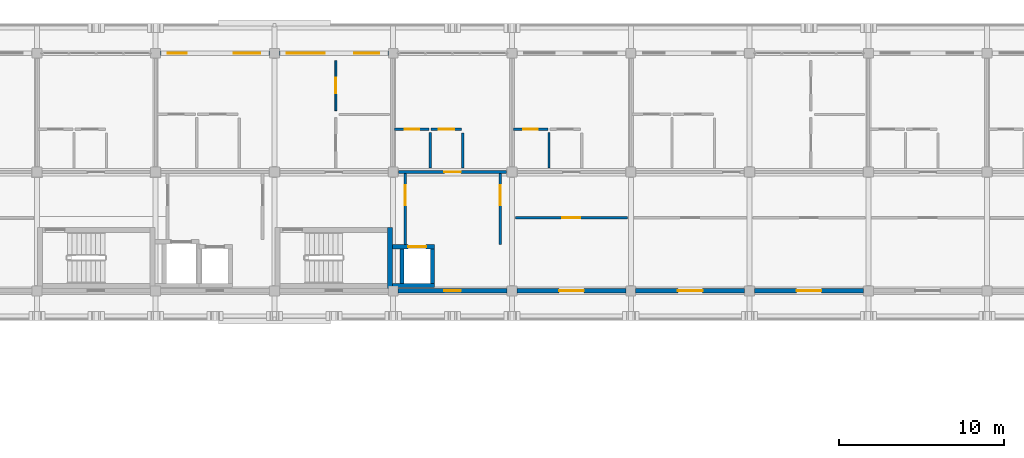
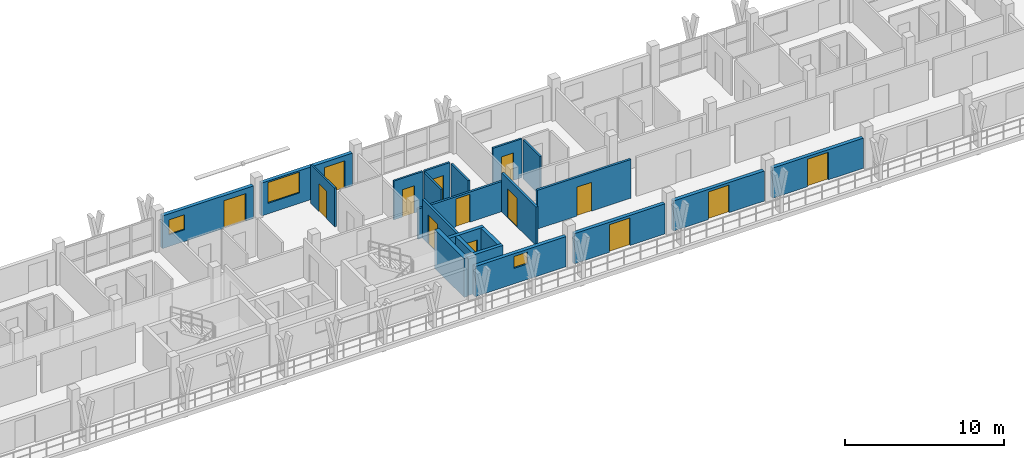
# One storey, part 41 of 73: 22 walls, 14 doors, 3 windows, 17 openings.
"""IFC4 building model written with IfcOpenShell, lengths in metres."""

from ifc_helpers import new_model, si_unit, direction, frame, frame_2d, origin, place, context, subcontext, project, spatial, rectangle, extrude, material, layer, layer_set, type_object, element, fill, save


model = new_model("IFC4")

# Units and contexts
model_context = context("Model", 3, precision=1e-05, world=origin(), true_north=direction((0.0, 1.0)))
body_context = subcontext(model_context, "Body", "Model", "MODEL_VIEW")
ifc_project = project(units=[si_unit("LENGTHUNIT", "METRE"), si_unit("AREAUNIT", "SQUARE_METRE"), si_unit("VOLUMEUNIT", "CUBIC_METRE"), si_unit("PLANEANGLEUNIT", "RADIAN"), si_unit("MASSUNIT", "GRAM", prefix="KILO")], contexts=[model_context])

# Site, building, storey
site_placement = place(None, origin())
site = spatial("IfcSite", under=ifc_project, at=site_placement, CompositionType="ELEMENT")
building_placement = place(site_placement, origin())
building = spatial("IfcBuilding", under=site, at=building_placement, Name="Suanplinth Sawtooth Commons", CompositionType="ELEMENT")
storey_placement = place(building_placement, frame((0.0, 0.0, 21.89990234375)))
storey = spatial("IfcBuildingStorey", under=building, at=storey_placement, Name="L06", CompositionType="ELEMENT", Elevation=21.89990234375)

# Wall
ifc_material_1 = material(Name="Concrete C40/50", Category="concrete")
ifc_layer_1 = layer(ifc_material_1, 0.300048828125, Name="Standard RC stair and lift core wall 300mm")
ifc_layer_set_1 = layer_set([ifc_layer_1], Name="Concrete C40/50")
wall_type_1 = type_object("IfcWallType", Name="W-CR02", PredefinedType="SHEAR", material=ifc_layer_set_1)
wall_1_placement = place(storey_placement, frame((64.60009765625, 108.14990234375, 0.0), z_axis=(0.0, 0.0, 1.0), x_axis=(0.0, 1.0, 0.0)))
element("IfcWall", 1, at=wall_1_placement, inside=storey, type_object=wall_type_1, Name="W-L06-C-A2-STE", PredefinedType="SHEAR", context=body_context, shape_type="SweptSolid", body=[
    extrude(rectangle(XDim=3.7001953125, YDim=0.300048828125, at=frame_2d((1.85009765625, 0.0))), origin(), (0.0, 0.0, 1.0), 2.97998046875),
])

# Wall, openings, door, window
ifc_material_2 = material(Name="Precast concrete C40/50", Category="concrete")
ifc_layer_2 = layer(ifc_material_2, 0.260009765625, Name="Insulated precast courtyard facade wall 260mm")
ifc_layer_set_2 = layer_set([ifc_layer_2], Name="Precast concrete C40/50")
wall_type_2 = type_object("IfcWallType", Name="W-EX02", PredefinedType="ELEMENTEDWALL", material=ifc_layer_set_2)
wall_2_placement = place(storey_placement, frame((50.699951171875, 122.39990234375, 0.0), z_axis=(0.0, 0.0, 1.0), x_axis=(1.0, 0.0, 0.0)))
wall_2 = element("IfcWall", 2, at=wall_2_placement, inside=storey, type_object=wall_type_2, Name="Facade Wall W-L06-A-N-6", PredefinedType="ELEMENTEDWALL", context=body_context, shape_type="SweptSolid", body=[
    extrude(rectangle(XDim=6.60009765625, YDim=0.260009765625, at=frame_2d((3.300048828125, 0.0))), origin(), (0.0, 0.0, 1.0), 2.51513671875),
])
opening_1_placement = place(wall_2_placement, frame((4.449951171875, 0.0, 0.0)))
opening_1 = element("IfcOpeningElement", 3, at=opening_1_placement, cuts=wall_2, Name="Opening ED0486", PredefinedType="OPENING", context=body_context, shape_type="SweptSolid", body=[
    extrude(rectangle(XDim=1.60009765625, YDim=2.1201171875, at=frame_2d((0.800048828125, 1.06005859375))), frame((0.0, 0.14501953125, 0.0), z_axis=(0.0, -1.0, 0.0), x_axis=(1.0, 0.0, 0.0)), (0.0, 0.0, 1.0), 0.289794921875),
])
opening_2_placement = place(wall_2_placement, frame((0.449951171875, 0.0, 0.89990234375)))
opening_2 = element("IfcOpeningElement", 4, at=opening_2_placement, cuts=wall_2, Name="Opening W0572", PredefinedType="OPENING", context=body_context, shape_type="SweptSolid", body=[
    extrude(rectangle(XDim=1.14990234375, YDim=1.14990234375, at=frame_2d((0.574951171875, 0.574951171875))), frame((0.0, 0.14501953125, 0.0), z_axis=(0.0, -1.0, 0.0), x_axis=(1.0, 0.0, 0.0)), (0.0, 0.0, 1.0), 0.289794921875),
])
ifc_material_3 = material(Name="Anodized aluminium and low-E glass", Category="aluminium")
door_type_1 = type_object("IfcDoorType", Name="SD-02", OperationType="SLIDING_TO_RIGHT", PredefinedType="DOOR", material=ifc_material_3)
door_1_placement = place(opening_1_placement, frame((1.60009765625, 0.0, 0.0), z_axis=(0.0, 0.0, 1.0), x_axis=(-1.0, 0.0, 0.0)))
door_1 = element("IfcDoor", 5, at=door_1_placement, inside=storey, type_object=door_type_1, Name="Balcony Sliding Door L06-A-N-6", OperationType="SLIDING_TO_RIGHT", OverallHeight=2.1201171875, OverallWidth=1.60009765625, PredefinedType="DOOR", context=body_context, shape_type="SweptSolid", body=[
    extrude(rectangle(XDim=1.60009765625, YDim=2.1201171875, at=frame_2d((0.800048828125, 1.06005859375))), frame((0.0, 0.02490234375, 0.0), z_axis=(0.0, -1.0, 0.0), x_axis=(1.0, 0.0, 0.0)), (0.0, 0.0, 1.0), 0.050048828125),
])
fill(opening_1, door_1)
ifc_material_4 = material(Name="Thermally broken aluminium and low-E double glazing", Category="aluminium")
window_type_1 = type_object("IfcWindowType", Name="WN-20", PartitioningType="SINGLE_PANEL", PredefinedType="WINDOW", material=ifc_material_4)
window_1_placement = place(opening_2_placement, origin())
window_1 = element("IfcWindow", 6, at=window_1_placement, inside=storey, type_object=window_type_1, Name="Window L06-A-N-6", OverallHeight=1.14990234375, OverallWidth=1.14990234375, PartitioningType="SINGLE_PANEL", PredefinedType="WINDOW", context=body_context, shape_type="SweptSolid", body=[
    extrude(rectangle(XDim=1.14990234375, YDim=1.14990234375, at=frame_2d((0.574951171875, 0.574951171875))), frame((0.0, 0.030029296875, 0.0), z_axis=(0.0, -1.0, 0.0), x_axis=(1.0, 0.0, 0.0)), (0.0, 0.0, 1.0), 0.06005859375),
])
fill(opening_2, window_1)

wall_3_placement = place(storey_placement, frame((57.89990234375, 122.39990234375, 0.0), z_axis=(0.0, 0.0, 1.0), x_axis=(1.0, 0.0, 0.0)))
wall_3 = element("IfcWall", 7, at=wall_3_placement, inside=storey, type_object=wall_type_2, Name="Facade Wall W-L06-A-N-7", PredefinedType="ELEMENTEDWALL", context=body_context, shape_type="SweptSolid", body=[
    extrude(rectangle(XDim=6.60009765625, YDim=0.260009765625, at=frame_2d((3.300048828125, 0.0))), origin(), (0.0, 0.0, 1.0), 2.51513671875),
])
opening_3_placement = place(wall_3_placement, frame((4.550048828125, 0.0, 0.0)))
opening_3 = element("IfcOpeningElement", 8, at=opening_3_placement, cuts=wall_3, Name="Opening ED0487", PredefinedType="OPENING", context=body_context, shape_type="SweptSolid", body=[
    extrude(rectangle(XDim=1.5, YDim=2.1201171875, at=frame_2d((0.75, 1.06005859375))), frame((0.0, 0.14501953125, 0.0), z_axis=(0.0, -1.0, 0.0), x_axis=(1.0, 0.0, 0.0)), (0.0, 0.0, 1.0), 0.289794921875),
])
opening_4_placement = place(wall_3_placement, frame((0.449951171875, 0.0, 0.804931640625)))
opening_4 = element("IfcOpeningElement", 9, at=opening_4_placement, cuts=wall_3, Name="Opening W0574", PredefinedType="OPENING", context=body_context, shape_type="SweptSolid", body=[
    extrude(rectangle(XDim=2.300048828125, YDim=1.60009765625, at=frame_2d((1.14990234375, 0.800048828125))), frame((0.0, 0.14501953125, 0.0), z_axis=(0.0, -1.0, 0.0), x_axis=(1.0, 0.0, 0.0)), (0.0, 0.0, 1.0), 0.289794921875),
])
door_type_2 = type_object("IfcDoorType", Name="SD-03", OperationType="SLIDING_TO_LEFT", PredefinedType="DOOR", material=ifc_material_3)
door_2_placement = place(opening_3_placement, frame((1.5, 0.0, 0.0), z_axis=(0.0, 0.0, 1.0), x_axis=(-1.0, 0.0, 0.0)))
door_2 = element("IfcDoor", 10, at=door_2_placement, inside=storey, type_object=door_type_2, Name="Balcony Sliding Door L06-A-N-7", OperationType="SLIDING_TO_LEFT", OverallHeight=2.1201171875, OverallWidth=1.5, PredefinedType="DOOR", context=body_context, shape_type="SweptSolid", body=[
    extrude(rectangle(XDim=1.5, YDim=2.1201171875, at=frame_2d((0.75, 1.06005859375))), frame((0.0, 0.02490234375, 0.0), z_axis=(0.0, -1.0, 0.0), x_axis=(1.0, 0.0, 0.0)), (0.0, 0.0, 1.0), 0.050048828125),
])
fill(opening_3, door_2)
window_type_2 = type_object("IfcWindowType", Name="WN-21", PartitioningType="TRIPLE_PANEL_VERTICAL", PredefinedType="WINDOW", material=ifc_material_4)
window_2_placement = place(opening_4_placement, origin())
window_2 = element("IfcWindow", 11, at=window_2_placement, inside=storey, type_object=window_type_2, Name="Window L06-A-N-7", OverallHeight=1.60009765625, OverallWidth=2.300048828125, PartitioningType="TRIPLE_PANEL_VERTICAL", PredefinedType="WINDOW", context=body_context, shape_type="SweptSolid", body=[
    extrude(rectangle(XDim=2.300048828125, YDim=1.60009765625, at=frame_2d((1.14990234375, 0.800048828125))), frame((0.0, 0.030029296875, 0.0), z_axis=(0.0, -1.0, 0.0), x_axis=(1.0, 0.0, 0.0)), (0.0, 0.0, 1.0), 0.06005859375),
])
fill(opening_4, window_2)

# Wall, opening, window
wall_4_placement = place(storey_placement, frame((65.10009765625, 108.0, 0.0), z_axis=(0.0, 0.0, 1.0), x_axis=(1.0, 0.0, 0.0)))
wall_4 = element("IfcWall", 12, at=wall_4_placement, inside=storey, type_object=wall_type_2, Name="Courtyard Wall W-L06-A-S-8", PredefinedType="ELEMENTEDWALL", context=body_context, shape_type="SweptSolid", body=[
    extrude(rectangle(XDim=6.599853515625, YDim=0.260009765625, at=frame_2d((3.2998046875, 0.0))), origin(), (0.0, 0.0, 1.0), 2.315185546875),
])
opening_5_placement = place(wall_4_placement, frame((2.800048828125, 0.0, 1.199951171875)))
opening_5 = element("IfcOpeningElement", 13, at=opening_5_placement, cuts=wall_4, Name="Opening W0576", PredefinedType="OPENING", context=body_context, shape_type="SweptSolid", body=[
    extrude(rectangle(XDim=1.0, YDim=0.89990234375, at=frame_2d((0.5, 0.449951171875))), frame((0.0, 0.14501953125, 0.0), z_axis=(0.0, -1.0, 0.0), x_axis=(1.0, 0.0, 0.0)), (0.0, 0.0, 1.0), 0.289794921875),
])
window_type_3 = type_object("IfcWindowType", Name="WN-12", PartitioningType="SINGLE_PANEL", PredefinedType="WINDOW", material=ifc_material_4)
window_3_placement = place(opening_5_placement, origin())
window_3 = element("IfcWindow", 14, at=window_3_placement, inside=storey, type_object=window_type_3, Name="Core Daylight Window L06-A-8", OverallHeight=0.89990234375, OverallWidth=1.0, PartitioningType="SINGLE_PANEL", PredefinedType="WINDOW", context=body_context, shape_type="SweptSolid", body=[
    extrude(rectangle(XDim=1.0, YDim=0.89990234375, at=frame_2d((0.5, 0.449951171875))), frame((0.0, 0.030029296875, 0.0), z_axis=(0.0, -1.0, 0.0), x_axis=(1.0, 0.0, 0.0)), (0.0, 0.0, 1.0), 0.06005859375),
])
fill(opening_5, window_3)

# Wall, opening, door
wall_5_placement = place(storey_placement, frame((72.300048828125, 108.0, 0.0), z_axis=(0.0, 0.0, 1.0), x_axis=(1.0, 0.0, 0.0)))
wall_5 = element("IfcWall", 15, at=wall_5_placement, inside=storey, type_object=wall_type_2, Name="Courtyard Wall W-L06-A-S-9", PredefinedType="ELEMENTEDWALL", context=body_context, shape_type="SweptSolid", body=[
    extrude(rectangle(XDim=6.599853515625, YDim=0.260009765625, at=frame_2d((3.2998046875, 0.0))), origin(), (0.0, 0.0, 1.0), 2.315185546875),
])
opening_6_placement = place(wall_5_placement, frame((2.550048828125, 0.0, 0.0)))
opening_6 = element("IfcOpeningElement", 16, at=opening_6_placement, cuts=wall_5, Name="Opening ED0489", PredefinedType="OPENING", context=body_context, shape_type="SweptSolid", body=[
    extrude(rectangle(XDim=1.5, YDim=2.1201171875, at=frame_2d((0.75, 1.06005859375))), frame((0.0, 0.14501953125, 0.0), z_axis=(0.0, -1.0, 0.0), x_axis=(1.0, 0.0, 0.0)), (0.0, 0.0, 1.0), 0.289794921875),
])
door_3_placement = place(opening_6_placement, frame((1.5, 0.0, 0.0), z_axis=(0.0, 0.0, 1.0), x_axis=(-1.0, 0.0, 0.0)))
door_3 = element("IfcDoor", 17, at=door_3_placement, inside=storey, type_object=door_type_2, Name="Courtyard Balcony Sliding Door L06-A-S-9", OperationType="SLIDING_TO_LEFT", OverallHeight=2.1201171875, OverallWidth=1.5, PredefinedType="DOOR", context=body_context, shape_type="SweptSolid", body=[
    extrude(rectangle(XDim=1.5, YDim=2.1201171875, at=frame_2d((0.75, 1.06005859375))), frame((0.0, 0.02490234375, 0.0), z_axis=(0.0, -1.0, 0.0), x_axis=(1.0, 0.0, 0.0)), (0.0, 0.0, 1.0), 0.050048828125),
])
fill(opening_6, door_3)

wall_6_placement = place(storey_placement, frame((79.5, 108.0, 0.0), z_axis=(0.0, 0.0, 1.0), x_axis=(1.0, 0.0, 0.0)))
wall_6 = element("IfcWall", 18, at=wall_6_placement, inside=storey, type_object=wall_type_2, Name="Courtyard Wall W-L06-A-S-10", PredefinedType="ELEMENTEDWALL", context=body_context, shape_type="SweptSolid", body=[
    extrude(rectangle(XDim=6.60009765625, YDim=0.260009765625, at=frame_2d((3.300048828125, 0.0))), origin(), (0.0, 0.0, 1.0), 2.315185546875),
])
opening_7_placement = place(wall_6_placement, frame((2.550048828125, 0.0, 0.0)))
opening_7 = element("IfcOpeningElement", 19, at=opening_7_placement, cuts=wall_6, Name="Opening ED0491", PredefinedType="OPENING", context=body_context, shape_type="SweptSolid", body=[
    extrude(rectangle(XDim=1.5, YDim=2.1201171875, at=frame_2d((0.75, 1.06005859375))), frame((0.0, 0.14501953125, 0.0), z_axis=(0.0, -1.0, 0.0), x_axis=(1.0, 0.0, 0.0)), (0.0, 0.0, 1.0), 0.289794921875),
])
door_4_placement = place(opening_7_placement, frame((1.5, 0.0, 0.0), z_axis=(0.0, 0.0, 1.0), x_axis=(-1.0, 0.0, 0.0)))
door_4 = element("IfcDoor", 20, at=door_4_placement, inside=storey, type_object=door_type_2, Name="Courtyard Balcony Sliding Door L06-A-S-10", OperationType="SLIDING_TO_LEFT", OverallHeight=2.1201171875, OverallWidth=1.5, PredefinedType="DOOR", context=body_context, shape_type="SweptSolid", body=[
    extrude(rectangle(XDim=1.5, YDim=2.1201171875, at=frame_2d((0.75, 1.06005859375))), frame((0.0, 0.02490234375, 0.0), z_axis=(0.0, -1.0, 0.0), x_axis=(1.0, 0.0, 0.0)), (0.0, 0.0, 1.0), 0.050048828125),
])
fill(opening_7, door_4)

wall_7_placement = place(storey_placement, frame((86.699951171875, 108.0, 0.0), z_axis=(0.0, 0.0, 1.0), x_axis=(1.0, 0.0, 0.0)))
wall_7 = element("IfcWall", 21, at=wall_7_placement, inside=storey, type_object=wall_type_2, Name="Courtyard Wall W-L06-A-S-11", PredefinedType="ELEMENTEDWALL", context=body_context, shape_type="SweptSolid", body=[
    extrude(rectangle(XDim=6.60009765625, YDim=0.260009765625, at=frame_2d((3.300048828125, 0.0))), origin(), (0.0, 0.0, 1.0), 2.315185546875),
])
opening_8_placement = place(wall_7_placement, frame((2.550048828125, 0.0, 0.0)))
opening_8 = element("IfcOpeningElement", 22, at=opening_8_placement, cuts=wall_7, Name="Opening ED0492", PredefinedType="OPENING", context=body_context, shape_type="SweptSolid", body=[
    extrude(rectangle(XDim=1.5, YDim=2.1201171875, at=frame_2d((0.75, 1.06005859375))), frame((0.0, 0.14501953125, 0.0), z_axis=(0.0, -1.0, 0.0), x_axis=(1.0, 0.0, 0.0)), (0.0, 0.0, 1.0), 0.289794921875),
])
door_5_placement = place(opening_8_placement, frame((1.5, 0.0, 0.0), z_axis=(0.0, 0.0, 1.0), x_axis=(-1.0, 0.0, 0.0)))
door_5 = element("IfcDoor", 23, at=door_5_placement, inside=storey, type_object=door_type_2, Name="Courtyard Balcony Sliding Door L06-A-S-11", OperationType="SLIDING_TO_LEFT", OverallHeight=2.1201171875, OverallWidth=1.5, PredefinedType="DOOR", context=body_context, shape_type="SweptSolid", body=[
    extrude(rectangle(XDim=1.5, YDim=2.1201171875, at=frame_2d((0.75, 1.06005859375))), frame((0.0, 0.02490234375, 0.0), z_axis=(0.0, -1.0, 0.0), x_axis=(1.0, 0.0, 0.0)), (0.0, 0.0, 1.0), 0.050048828125),
])
fill(opening_8, door_5)

ifc_layer_3 = layer(ifc_material_2, 0.159912109375, Name="Fire-rated corridor and lobby wall 160mm")
ifc_layer_set_3 = layer_set([ifc_layer_3], Name="Precast concrete C40/50")
wall_type_3 = type_object("IfcWallType", Name="W-FW01", PredefinedType="PARTITIONING", material=ifc_layer_set_3)
wall_8_placement = place(storey_placement, frame((65.52001953125, 110.800048828125, 0.0), z_axis=(0.0, 0.0, 1.0), x_axis=(0.0, 1.0, 0.0)))
wall_8 = element("IfcWall", 24, at=wall_8_placement, inside=storey, type_object=wall_type_3, Name="W-L06-C-A2-LOB-W", PredefinedType="PARTITIONING", context=body_context, shape_type="SweptSolid", body=[
    extrude(rectangle(XDim=4.320068359375, YDim=0.159912109375, at=frame_2d((2.16015625, 0.0))), origin(), (0.0, 0.0, 1.0), 2.97998046875),
])
opening_9_placement = place(wall_8_placement, frame((2.39990234375, 0.0, 0.0)))
opening_9 = element("IfcOpeningElement", 25, at=opening_9_placement, cuts=wall_8, Name="Opening FD0115", PredefinedType="OPENING", context=body_context, shape_type="SweptSolid", body=[
    extrude(rectangle(XDim=1.199951171875, YDim=2.199951171875, at=frame_2d((0.60009765625, 1.10009765625))), frame((0.0, 0.0947265625, 0.0), z_axis=(0.0, -1.0, 0.0), x_axis=(1.0, 0.0, 0.0)), (0.0, 0.0, 1.0), 0.189697265625),
])
ifc_material_5 = material(Name="Teak hardwood fire-rated door assembly", Category="wood")
door_type_3 = type_object("IfcDoorType", Name="FD-02", OperationType="NOTDEFINED", PredefinedType="DOOR", material=ifc_material_5)
door_6_placement = place(opening_9_placement, origin())
door_6 = element("IfcDoor", 26, at=door_6_placement, inside=storey, type_object=door_type_3, Name="Lobby Fire Door FD0115", OperationType="SINGLE_SWING_LEFT", OverallHeight=2.199951171875, OverallWidth=1.199951171875, PredefinedType="DOOR", context=body_context, shape_type="SweptSolid", body=[
    extrude(rectangle(XDim=1.199951171875, YDim=2.199951171875, at=frame_2d((0.60009765625, 1.10009765625))), frame((0.0, 0.02490234375, 0.0), z_axis=(0.0, -1.0, 0.0), x_axis=(1.0, 0.0, 0.0)), (0.0, 0.0, 1.0), 0.050048828125),
])
fill(opening_9, door_6)

wall_9_placement = place(storey_placement, frame((71.280029296875, 110.800048828125, 0.0), z_axis=(0.0, 0.0, 1.0), x_axis=(0.0, 1.0, 0.0)))
wall_9 = element("IfcWall", 27, at=wall_9_placement, inside=storey, type_object=wall_type_3, Name="W-L06-C-A2-LOB-E", PredefinedType="PARTITIONING", context=body_context, shape_type="SweptSolid", body=[
    extrude(rectangle(XDim=4.320068359375, YDim=0.159912109375, at=frame_2d((2.16015625, 0.0))), origin(), (0.0, 0.0, 1.0), 2.97998046875),
])
opening_10_placement = place(wall_9_placement, frame((2.39990234375, 0.0, 0.0)))
opening_10 = element("IfcOpeningElement", 28, at=opening_10_placement, cuts=wall_9, Name="Opening FD0116", PredefinedType="OPENING", context=body_context, shape_type="SweptSolid", body=[
    extrude(rectangle(XDim=1.199951171875, YDim=2.199951171875, at=frame_2d((0.60009765625, 1.10009765625))), frame((0.0, 0.0947265625, 0.0), z_axis=(0.0, -1.0, 0.0), x_axis=(1.0, 0.0, 0.0)), (0.0, 0.0, 1.0), 0.189697265625),
])
door_7_placement = place(opening_10_placement, frame((1.199951171875, 0.0, 0.0), z_axis=(0.0, 0.0, 1.0), x_axis=(-1.0, 0.0, 0.0)))
door_7 = element("IfcDoor", 29, at=door_7_placement, inside=storey, type_object=door_type_3, Name="Lobby Fire Door FD0116", OperationType="SINGLE_SWING_RIGHT", OverallHeight=2.199951171875, OverallWidth=1.199951171875, PredefinedType="DOOR", context=body_context, shape_type="SweptSolid", body=[
    extrude(rectangle(XDim=1.199951171875, YDim=2.199951171875, at=frame_2d((0.60009765625, 1.10009765625))), frame((0.0, 0.02490234375, 0.0), z_axis=(0.0, -1.0, 0.0), x_axis=(1.0, 0.0, 0.0)), (0.0, 0.0, 1.0), 0.050048828125),
])
fill(opening_10, door_7)

wall_10_placement = place(storey_placement, frame((65.1298828125, 115.199951171875, 0.0), z_axis=(0.0, 0.0, 1.0), x_axis=(1.0, 0.0, 0.0)))
wall_10 = element("IfcWall", 30, at=wall_10_placement, inside=storey, type_object=wall_type_3, Name="W-A-L06-U07-COR", PredefinedType="PARTITIONING", context=body_context, shape_type="SweptSolid", body=[
    extrude(rectangle(XDim=6.5400390625, YDim=0.159912109375, at=frame_2d((3.27001953125, 0.0))), origin(), (0.0, 0.0, 1.0), 2.315185546875),
])
opening_11_placement = place(wall_10_placement, frame((2.77001953125, 0.0, 0.0)))
opening_11 = element("IfcOpeningElement", 31, at=opening_11_placement, cuts=wall_10, Name="Opening FD1377", PredefinedType="OPENING", context=body_context, shape_type="SweptSolid", body=[
    extrude(rectangle(XDim=1.0, YDim=2.14990234375, at=frame_2d((0.5, 1.074951171875))), frame((0.0, 0.0947265625, 0.0), z_axis=(0.0, -1.0, 0.0), x_axis=(1.0, 0.0, 0.0)), (0.0, 0.0, 1.0), 0.189697265625),
])
door_type_4 = type_object("IfcDoorType", Name="FD-03", OperationType="NOTDEFINED", PredefinedType="DOOR", material=ifc_material_5)
door_8_placement = place(opening_11_placement, origin())
door_8 = element("IfcDoor", 32, at=door_8_placement, inside=storey, type_object=door_type_4, Name="Unit Entrance Door FD1377", OperationType="SINGLE_SWING_LEFT", OverallHeight=2.14990234375, OverallWidth=1.0, PredefinedType="DOOR", context=body_context, shape_type="SweptSolid", body=[
    extrude(rectangle(XDim=1.0, YDim=2.14990234375, at=frame_2d((0.5, 1.074951171875))), frame((0.0, 0.02490234375, 0.0), z_axis=(0.0, -1.0, 0.0), x_axis=(1.0, 0.0, 0.0)), (0.0, 0.0, 1.0), 0.050048828125),
])
fill(opening_11, door_8)

wall_11_placement = place(storey_placement, frame((72.199951171875, 112.419921875, 0.0), z_axis=(0.0, 0.0, 1.0), x_axis=(1.0, 0.0, 0.0)))
wall_11 = element("IfcWall", 33, at=wall_11_placement, inside=storey, type_object=wall_type_3, Name="W-A-L06-COURTROOM-16-COR", PredefinedType="PARTITIONING", context=body_context, shape_type="SweptSolid", body=[
    extrude(rectangle(XDim=6.800048828125, YDim=0.159912109375, at=frame_2d((3.39990234375, 0.0))), origin(), (0.0, 0.0, 1.0), 2.97998046875),
])
opening_12_placement = place(wall_11_placement, frame((2.860107421875, 0.0, 0.0)))
opening_12 = element("IfcOpeningElement", 34, at=opening_12_placement, cuts=wall_11, Name="Opening D1399", PredefinedType="OPENING", context=body_context, shape_type="SweptSolid", body=[
    extrude(rectangle(XDim=1.080078125, YDim=2.219970703125, at=frame_2d((0.5400390625, 1.10986328125))), frame((0.0, 0.0947265625, 0.0), z_axis=(0.0, -1.0, 0.0), x_axis=(1.0, 0.0, 0.0)), (0.0, 0.0, 1.0), 0.189697265625),
])
ifc_material_6 = material(Name="Teak hardwood", Category="wood")
door_type_5 = type_object("IfcDoorType", Name="D-17", OperationType="NOTDEFINED", PredefinedType="DOOR", material=ifc_material_6)
door_9_placement = place(opening_12_placement, frame((1.080078125, 0.0, 0.0), z_axis=(0.0, 0.0, 1.0), x_axis=(-1.0, 0.0, 0.0)))
door_9 = element("IfcDoor", 35, at=door_9_placement, inside=storey, type_object=door_type_5, Name="Study Studio Door D1399", OperationType="SINGLE_SWING_LEFT", OverallHeight=2.219970703125, OverallWidth=1.080078125, PredefinedType="DOOR", context=body_context, shape_type="SweptSolid", body=[
    extrude(rectangle(XDim=1.080078125, YDim=2.219970703125, at=frame_2d((0.5400390625, 1.10986328125))), frame((0.0, 0.02490234375, 0.0), z_axis=(0.0, -1.0, 0.0), x_axis=(1.0, 0.0, 0.0)), (0.0, 0.0, 1.0), 0.050048828125),
])
fill(opening_12, door_9)

ifc_material_7 = material(Name="Gypsum plasterboard on steel stud", Category="steel")
ifc_layer_4 = layer(ifc_material_7, 0.139892578125, Name="Fire-rated kitchen partition 140mm")
ifc_layer_set_4 = layer_set([ifc_layer_4], Name="Gypsum plasterboard on steel stud")
wall_type_4 = type_object("IfcWallType", Name="W-PT01", PredefinedType="PARTITIONING", material=ifc_layer_set_4)
wall_12_placement = place(storey_placement, frame((67.10009765625, 117.800048828125, 0.0), z_axis=(0.0, 0.0, 1.0), x_axis=(1.0, 0.0, 0.0)))
wall_12 = element("IfcWall", 36, at=wall_12_placement, inside=storey, type_object=wall_type_4, Name="W-A-L06-U07-KIT1", PredefinedType="PARTITIONING", context=body_context, shape_type="SweptSolid", body=[
    extrude(rectangle(XDim=1.849853515625, YDim=0.139892578125, at=frame_2d((0.9248046875, 0.0))), origin(), (0.0, 0.0, 1.0), 2.97998046875),
])
opening_13_placement = place(wall_12_placement, frame((0.4599609375, 0.0, 0.0)))
opening_13 = element("IfcOpeningElement", 37, at=opening_13_placement, cuts=wall_12, Name="Opening D1379", PredefinedType="OPENING", context=body_context, shape_type="SweptSolid", body=[
    extrude(rectangle(XDim=0.929931640625, YDim=2.139892578125, at=frame_2d((0.46484375, 1.06982421875))), frame((0.0, 0.0849609375, 0.0), z_axis=(0.0, -1.0, 0.0), x_axis=(1.0, 0.0, 0.0)), (0.0, 0.0, 1.0), 0.169677734375),
])
door_type_6 = type_object("IfcDoorType", Name="D-19", OperationType="NOTDEFINED", PredefinedType="DOOR", material=ifc_material_6)
door_10_placement = place(opening_13_placement, frame((0.929931640625, 0.0, 0.0), z_axis=(0.0, 0.0, 1.0), x_axis=(-1.0, 0.0, 0.0)))
door_10 = element("IfcDoor", 38, at=door_10_placement, inside=storey, type_object=door_type_6, Name="Kitchen Door D1379", OperationType="SINGLE_SWING_LEFT", OverallHeight=2.139892578125, OverallWidth=0.929931640625, PredefinedType="DOOR", context=body_context, shape_type="SweptSolid", body=[
    extrude(rectangle(XDim=0.929931640625, YDim=2.139892578125, at=frame_2d((0.46484375, 1.06982421875))), frame((0.0, 0.02490234375, 0.0), z_axis=(0.0, -1.0, 0.0), x_axis=(1.0, 0.0, 0.0)), (0.0, 0.0, 1.0), 0.050048828125),
])
fill(opening_13, door_10)

# Wall
wall_13_placement = place(storey_placement, frame((69.02001953125, 115.429931640625, 0.0), z_axis=(0.0, 0.0, 1.0), x_axis=(0.0, 1.0, 0.0)))
element("IfcWall", 39, at=wall_13_placement, inside=storey, type_object=wall_type_4, Name="W-A-L06-U07-KIT2", PredefinedType="PARTITIONING", context=body_context, shape_type="SweptSolid", body=[
    extrude(rectangle(XDim=2.150146484375, YDim=0.139892578125, at=frame_2d((1.0751953125, 0.0))), origin(), (0.0, 0.0, 1.0), 2.97998046875),
])

# Wall, opening, door
ifc_layer_5 = layer(ifc_material_7, 0.1298828125, Name="Moisture-resistant bathroom partition 130mm")
ifc_layer_set_5 = layer_set([ifc_layer_5], Name="Gypsum plasterboard on steel stud")
wall_type_5 = type_object("IfcWallType", Name="W-PT02", PredefinedType="PARTITIONING", material=ifc_layer_set_5)
wall_14_placement = place(storey_placement, frame((64.8798828125, 117.794921875, 0.0), z_axis=(0.0, 0.0, 1.0), x_axis=(1.0, 0.0, 0.0)))
wall_14 = element("IfcWall", 40, at=wall_14_placement, inside=storey, type_object=wall_type_5, Name="W-A-L06-U07-BTH1", PredefinedType="PARTITIONING", context=body_context, shape_type="SweptSolid", body=[
    extrude(rectangle(XDim=2.10009765625, YDim=0.1298828125, at=frame_2d((1.050048828125, 0.0))), origin(), (0.0, 0.0, 1.0), 2.97998046875),
])
opening_14_placement = place(wall_14_placement, frame((0.610107421875, 0.0, 0.0)))
opening_14 = element("IfcOpeningElement", 41, at=opening_14_placement, cuts=wall_14, Name="Opening D1378", PredefinedType="OPENING", context=body_context, shape_type="SweptSolid", body=[
    extrude(rectangle(XDim=0.8798828125, YDim=2.10009765625, at=frame_2d((0.43994140625, 1.050048828125))), frame((0.0, 0.079833984375, 0.0), z_axis=(0.0, -1.0, 0.0), x_axis=(1.0, 0.0, 0.0)), (0.0, 0.0, 1.0), 0.15966796875),
])
door_type_7 = type_object("IfcDoorType", Name="D-14", OperationType="NOTDEFINED", PredefinedType="DOOR", material=ifc_material_6)
door_11_placement = place(opening_14_placement, frame((0.8798828125, 0.0, 0.0), z_axis=(0.0, 0.0, 1.0), x_axis=(-1.0, 0.0, 0.0)))
door_11 = element("IfcDoor", 42, at=door_11_placement, inside=storey, type_object=door_type_7, Name="Bathroom Door D1378", OperationType="SINGLE_SWING_RIGHT", OverallHeight=2.10009765625, OverallWidth=0.8798828125, PredefinedType="DOOR", context=body_context, shape_type="SweptSolid", body=[
    extrude(rectangle(XDim=0.8798828125, YDim=2.10009765625, at=frame_2d((0.43994140625, 1.050048828125))), frame((0.0, 0.02490234375, 0.0), z_axis=(0.0, -1.0, 0.0), x_axis=(1.0, 0.0, 0.0)), (0.0, 0.0, 1.0), 0.050048828125),
])
fill(opening_14, door_11)

# Wall
wall_15_placement = place(storey_placement, frame((67.044921875, 115.4599609375, 0.0), z_axis=(0.0, 0.0, 1.0), x_axis=(0.0, 1.0, 0.0)))
element("IfcWall", 43, at=wall_15_placement, inside=storey, type_object=wall_type_5, Name="W-A-L06-U07-BTH2", PredefinedType="PARTITIONING", context=body_context, shape_type="SweptSolid", body=[
    extrude(rectangle(XDim=2.130126953125, YDim=0.1298828125, at=frame_2d((1.06494140625, 0.0))), origin(), (0.0, 0.0, 1.0), 2.97998046875),
])

# Wall, opening, door
wall_16_placement = place(storey_placement, frame((72.080078125, 117.794921875, 0.0), z_axis=(0.0, 0.0, 1.0), x_axis=(1.0, 0.0, 0.0)))
wall_16 = element("IfcWall", 44, at=wall_16_placement, inside=storey, type_object=wall_type_5, Name="W-A-L06-U08-BTH1", PredefinedType="PARTITIONING", context=body_context, shape_type="SweptSolid", body=[
    extrude(rectangle(XDim=2.099853515625, YDim=0.1298828125, at=frame_2d((1.0498046875, 0.0))), origin(), (0.0, 0.0, 1.0), 2.97998046875),
])
opening_15_placement = place(wall_16_placement, frame((0.610107421875, 0.0, 0.0)))
opening_15 = element("IfcOpeningElement", 45, at=opening_15_placement, cuts=wall_16, Name="Opening D1381", PredefinedType="OPENING", context=body_context, shape_type="SweptSolid", body=[
    extrude(rectangle(XDim=0.8798828125, YDim=2.10009765625, at=frame_2d((0.43994140625, 1.050048828125))), frame((0.0, 0.079833984375, 0.0), z_axis=(0.0, -1.0, 0.0), x_axis=(1.0, 0.0, 0.0)), (0.0, 0.0, 1.0), 0.15966796875),
])
door_12_placement = place(opening_15_placement, frame((0.8798828125, 0.0, 0.0), z_axis=(0.0, 0.0, 1.0), x_axis=(-1.0, 0.0, 0.0)))
door_12 = element("IfcDoor", 46, at=door_12_placement, inside=storey, type_object=door_type_7, Name="Bathroom Door D1381", OperationType="SINGLE_SWING_LEFT", OverallHeight=2.10009765625, OverallWidth=0.8798828125, PredefinedType="DOOR", context=body_context, shape_type="SweptSolid", body=[
    extrude(rectangle(XDim=0.8798828125, YDim=2.10009765625, at=frame_2d((0.43994140625, 1.050048828125))), frame((0.0, 0.02490234375, 0.0), z_axis=(0.0, -1.0, 0.0), x_axis=(1.0, 0.0, 0.0)), (0.0, 0.0, 1.0), 0.050048828125),
])
fill(opening_15, door_12)

# Wall
wall_17_placement = place(storey_placement, frame((74.2451171875, 115.4599609375, 0.0), z_axis=(0.0, 0.0, 1.0), x_axis=(0.0, 1.0, 0.0)))
element("IfcWall", 47, at=wall_17_placement, inside=storey, type_object=wall_type_5, Name="W-A-L06-U08-BTH2", PredefinedType="PARTITIONING", context=body_context, shape_type="SweptSolid", body=[
    extrude(rectangle(XDim=2.130126953125, YDim=0.1298828125, at=frame_2d((1.06494140625, 0.0))), origin(), (0.0, 0.0, 1.0), 2.97998046875),
])

# Wall, opening, door
ifc_layer_6 = layer(ifc_material_7, 0.1201171875, Name="Acoustic bedroom partition 120mm")
ifc_layer_set_6 = layer_set([ifc_layer_6], Name="Gypsum plasterboard on steel stud")
wall_type_6 = type_object("IfcWallType", Name="W-PT03", PredefinedType="PARTITIONING", material=ifc_layer_set_6)
wall_18_placement = place(storey_placement, frame((61.320068359375, 118.919921875, 0.0), z_axis=(0.0, 0.0, 1.0), x_axis=(0.0, 1.0, 0.0)))
wall_18 = element("IfcWall", 48, at=wall_18_placement, inside=storey, type_object=wall_type_6, Name="W-A-L06-U06-BED1", PredefinedType="PARTITIONING", context=body_context, shape_type="SweptSolid", body=[
    extrude(rectangle(XDim=3.0400390625, YDim=0.1201171875, at=frame_2d((1.52001953125, 0.0))), origin(), (0.0, 0.0, 1.0), 2.97998046875),
])
opening_16_placement = place(wall_18_placement, frame((1.044921875, 0.0, 0.0)))
opening_16 = element("IfcOpeningElement", 49, at=opening_16_placement, cuts=wall_18, Name="Opening D1375", PredefinedType="OPENING", context=body_context, shape_type="SweptSolid", body=[
    extrude(rectangle(XDim=0.949951171875, YDim=2.14990234375, at=frame_2d((0.47509765625, 1.074951171875))), frame((0.0, 0.074951171875, 0.0), z_axis=(0.0, -1.0, 0.0), x_axis=(1.0, 0.0, 0.0)), (0.0, 0.0, 1.0), 0.14990234375),
])
door_type_8 = type_object("IfcDoorType", Name="D-03", OperationType="NOTDEFINED", PredefinedType="DOOR", material=ifc_material_6)
door_13_placement = place(opening_16_placement, frame((0.949951171875, 0.0, 0.0), z_axis=(0.0, 0.0, 1.0), x_axis=(-1.0, 0.0, 0.0)))
door_13 = element("IfcDoor", 50, at=door_13_placement, inside=storey, type_object=door_type_8, Name="Bedroom Door D1375", OperationType="SINGLE_SWING_LEFT", OverallHeight=2.14990234375, OverallWidth=0.949951171875, PredefinedType="DOOR", context=body_context, shape_type="SweptSolid", body=[
    extrude(rectangle(XDim=0.949951171875, YDim=2.14990234375, at=frame_2d((0.47509765625, 1.074951171875))), frame((0.0, 0.02490234375, 0.0), z_axis=(0.0, -1.0, 0.0), x_axis=(1.0, 0.0, 0.0)), (0.0, 0.0, 1.0), 0.050048828125),
])
fill(opening_16, door_13)

# Wall
ifc_layer_7 = layer(ifc_material_2, 0.25, Name="Precast structural shear wall 250mm")
ifc_layer_set_7 = layer_set([ifc_layer_7], Name="Precast concrete C40/50")
wall_type_7 = type_object("IfcWallType", Name="W-SH01", PredefinedType="SHEAR", material=ifc_layer_set_7)
wall_19_placement = place(storey_placement, frame((64.75, 108.324951171875, 0.0), z_axis=(0.0, 0.0, 1.0), x_axis=(1.0, 0.0, 0.0)))
element("IfcWall", 51, at=wall_19_placement, inside=storey, type_object=wall_type_7, Name="W-L06-LF2-S", PredefinedType="SHEAR", context=body_context, shape_type="SweptSolid", body=[
    extrude(rectangle(XDim=2.550048828125, YDim=0.25, at=frame_2d((1.27490234375, 0.0))), origin(), (0.0, 0.0, 1.0), 2.97998046875),
])

# Wall, opening, door
wall_20_placement = place(storey_placement, frame((64.75, 110.675048828125, 0.0), z_axis=(0.0, 0.0, 1.0), x_axis=(1.0, 0.0, 0.0)))
wall_20 = element("IfcWall", 52, at=wall_20_placement, inside=storey, type_object=wall_type_7, Name="W-L06-LF2-N", PredefinedType="SHEAR", context=body_context, shape_type="SweptSolid", body=[
    extrude(rectangle(XDim=2.550048828125, YDim=0.25, at=frame_2d((1.27490234375, 0.0))), origin(), (0.0, 0.0, 1.0), 2.97998046875),
])
opening_17_placement = place(wall_20_placement, frame((0.949951171875, 0.0, 0.0)))
opening_17 = element("IfcOpeningElement", 53, at=opening_17_placement, cuts=wall_20, Name="Opening LD0117", PredefinedType="OPENING", context=body_context, shape_type="SweptSolid", body=[
    extrude(rectangle(XDim=1.10009765625, YDim=2.14990234375, at=frame_2d((0.550048828125, 1.074951171875))), frame((0.0, 0.139892578125, 0.0), z_axis=(0.0, -1.0, 0.0), x_axis=(1.0, 0.0, 0.0)), (0.0, 0.0, 1.0), 0.27978515625),
])
ifc_material_8 = material(Name="Stainless steel Grade 304", Category="steel")
door_type_9 = type_object("IfcDoorType", Name="LD-01", OperationType="SLIDING_TO_LEFT", PredefinedType="DOOR", material=ifc_material_8)
door_14_placement = place(opening_17_placement, origin())
door_14 = element("IfcDoor", 54, at=door_14_placement, inside=storey, type_object=door_type_9, Name="Lift Landing Sliding Door LF2 L06", OperationType="SLIDING_TO_LEFT", OverallHeight=2.14990234375, OverallWidth=1.10009765625, PredefinedType="DOOR", context=body_context, shape_type="SweptSolid", body=[
    extrude(rectangle(XDim=1.10009765625, YDim=2.14990234375, at=frame_2d((0.550048828125, 1.074951171875))), frame((0.0, 0.02490234375, 0.0), z_axis=(0.0, -1.0, 0.0), x_axis=(1.0, 0.0, 0.0)), (0.0, 0.0, 1.0), 0.050048828125),
])
fill(opening_17, door_14)

# Walls
for number, where, z_axis, x_axis, name in (
    (55, (65.324951171875, 108.449951171875, 0.0), (0.0, 0.0, 1.0), (0.0, 1.0, 0.0), "W-L06-LF2-W"),
    (56, (67.175048828125, 108.449951171875, 0.0), (0.0, 0.0, 1.0), (0.0, 1.0, 0.0), "W-L06-LF2-E"),
):
    element("IfcWall", number, at=place(storey_placement, frame(where, z_axis=z_axis, x_axis=x_axis)), inside=storey, type_object=wall_type_7, Name=name, PredefinedType="SHEAR", context=body_context, shape_type="SweptSolid", body=[
        extrude(rectangle(XDim=2.10009765625, YDim=0.25, at=frame_2d((1.050048828125, 0.0))), origin(), (0.0, 0.0, 1.0), 2.97998046875),
    ])

save(model, "model.ifc")
